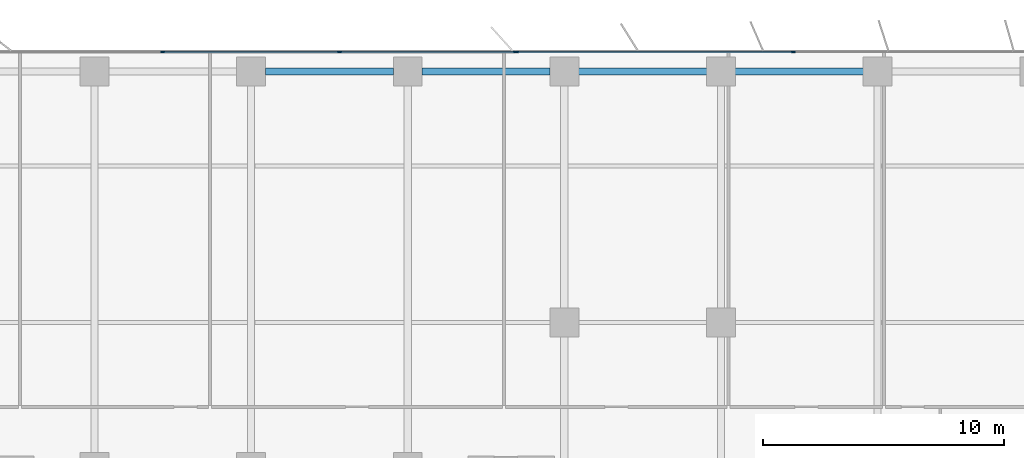
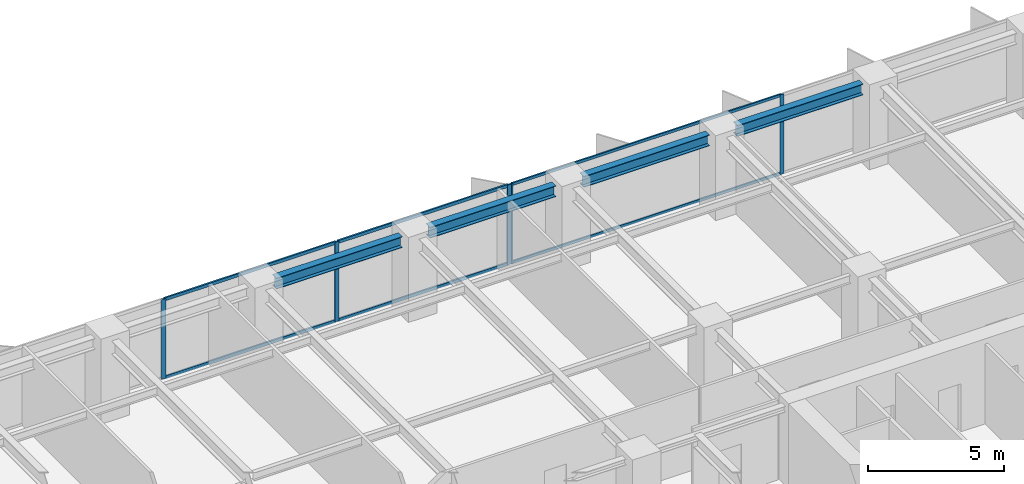
# One storey, part 9 of 20: 11 members, 4 beams, 2 elements without a shape of their own.
"""IFC4 building model written with IfcOpenShell, lengths in metres."""

from ifc_helpers import new_model, si_unit, direction, frame, origin, origin_2d, place, context, subcontext, project, spatial, rectangle, i_section, extrude, material, layer, layer_set, material_profile, profile_set, type_object, element, aggregate, save


model = new_model("IFC4")

# Units and contexts
model_context = context("Model", 3, precision=1e-05, world=origin(), true_north=direction((0.0, 1.0)))
body_context = subcontext(model_context, "Body", "Model", "MODEL_VIEW")
ifc_project = project(units=[si_unit("LENGTHUNIT", "METRE"), si_unit("AREAUNIT", "SQUARE_METRE"), si_unit("VOLUMEUNIT", "CUBIC_METRE"), si_unit("PLANEANGLEUNIT", "RADIAN"), si_unit("MASSUNIT", "GRAM", prefix="KILO")], contexts=[model_context])

# Site, building, storey
site_placement = place(None, origin())
site = spatial("IfcSite", under=ifc_project, at=site_placement, CompositionType="ELEMENT")
building_placement = place(site_placement, origin())
building = spatial("IfcBuilding", under=site, at=building_placement, Name="Putna Gate Headquarters", CompositionType="ELEMENT")
storey_placement = place(building_placement, frame((0.0, 0.0, 116.39990234375)))
storey = spatial("IfcBuildingStorey", under=building, at=storey_placement, Name="L28", CompositionType="ELEMENT", Elevation=116.39990234375)

# Beams
ifc_material_1 = material(Name="Steel S355J2", Category="steel")
ifc_material_profile_1 = material_profile(ifc_material_1, i_section(OverallWidth=0.300048828125, OverallDepth=0.489990234375, WebThickness=0.011962890625, FlangeThickness=0.02294921875, at=origin_2d()), Name="Steel S355J2")
ifc_profile_set_1 = profile_set([ifc_material_profile_1], Name="Steel S355J2")
beam_type = type_object("IfcBeamType", Name="BM-SPAN-Z2-HEA500", PredefinedType="SPANDREL", material=ifc_profile_set_1)
for number, where, z_axis, x_axis, name in (
    (1, (39.587890625, 49.419921875, 3.320068359375), (1.0, 0.0, 0.0), (0.0, 1.0, 0.0), "L28 N Perimeter Spandrel 6"),
    (2, (46.087890625, 49.419921875, 3.320068359375), (1.0, 0.0, 0.0), (0.0, 1.0, 0.0), "L28 N Perimeter Spandrel 7"),
    (3, (52.587890625, 49.419921875, 3.320068359375), (1.0, 0.0, 0.0), (0.0, 1.0, 0.0), "L28 N Perimeter Spandrel 8"),
    (4, (59.087890625, 49.419921875, 3.320068359375), (1.0, 0.0, 0.0), (0.0, 1.0, 0.0), "L28 N Perimeter Spandrel 9"),
):
    element("IfcBeam", number, at=place(storey_placement, frame(where, z_axis=z_axis, x_axis=x_axis)), inside=storey, type_object=beam_type, Name=name, PredefinedType="SPANDREL", context=body_context, shape_type="SweptSolid", body=[
        extrude(i_section(OverallWidth=0.300048828125, OverallDepth=0.489990234375, WebThickness=0.011962890625, FlangeThickness=0.02294921875, at=origin_2d()), origin(), (0.0, 0.0, 1.0), 5.32421875),
    ])

# Curtain wall, members
ifc_material_2 = material(Name="Anodised bronze aluminium curtain wall", Category="aluminium")
ifc_layer_1 = layer(ifc_material_2, 0.159912109375)
ifc_layer_set_1 = layer_set([ifc_layer_1], Name="Anodised bronze aluminium curtain wall")
curtain_wall_type_1 = type_object("IfcCurtainWallType", Name="CW-SYS-Z2", PredefinedType="USERDEFINED", material=ifc_layer_set_1)
curtain_wall_1_placement = place(storey_placement, origin())
curtain_wall_1 = element("IfcCurtainWall", 5, at=curtain_wall_1_placement, inside=storey, type_object=curtain_wall_type_1, Name="L28 North East Curtain Wall", ObjectType="STICK CURTAIN WALL", PredefinedType="USERDEFINED")
ifc_material_3 = material(Name="Anodised bronze aluminium EN AW-6060", Category="aluminium")
ifc_material_profile_2 = material_profile(ifc_material_3, rectangle(XDim=0.06494140625, YDim=0.159912109375, at=origin_2d()), Name="Anodised bronze aluminium EN AW-6060")
ifc_profile_set_2 = profile_set([ifc_material_profile_2], Name="Anodised bronze aluminium EN AW-6060")
member_type_1 = type_object("IfcMemberType", Name="MULL-CWM-2", PredefinedType="MULLION", material=ifc_profile_set_2)
member_1_placement = place(storey_placement, frame((50.032470703125, 50.219970703125, 0.0), z_axis=(0.0, 0.0, 1.0), x_axis=(0.0, 1.0, 0.0)))
member_1 = element("IfcMember", 6, at=member_1_placement, type_object=member_type_1, Name="CWS-2 mullion 1", PredefinedType="MULLION", context=body_context, shape_type="SweptSolid", body=[
    extrude(rectangle(XDim=0.06494140625, YDim=0.159912109375, at=origin_2d()), origin(), (0.0, 0.0, 1.0), 3.565185546875),
])
member_2_placement = place(storey_placement, frame((61.5, 50.219970703125, 0.0), z_axis=(0.0, 0.0, 1.0), x_axis=(0.0, 1.0, 0.0)))
member_2 = element("IfcMember", 7, at=member_2_placement, type_object=member_type_1, Name="CWS-2 mullion 2", PredefinedType="MULLION", context=body_context, shape_type="SweptSolid", body=[
    extrude(rectangle(XDim=0.06494140625, YDim=0.159912109375, at=origin_2d()), origin(), (0.0, 0.0, 1.0), 3.565185546875),
])

ifc_layer_2 = layer(ifc_material_2, 0.179931640625)
ifc_layer_set_2 = layer_set([ifc_layer_2], Name="Anodised bronze aluminium curtain wall")
curtain_wall_type_2 = type_object("IfcCurtainWallType", Name="CW-SYS-ATR", PredefinedType="USERDEFINED", material=ifc_layer_set_2)
curtain_wall_2_placement = place(storey_placement, origin())
curtain_wall_2 = element("IfcCurtainWall", 8, at=curtain_wall_2_placement, inside=storey, type_object=curtain_wall_type_2, Name="L28 North Atrium Clear Glazing", ObjectType="ATRIUM GLAZING", PredefinedType="USERDEFINED")
ifc_material_profile_3 = material_profile(ifc_material_3, rectangle(XDim=0.070068359375, YDim=0.179931640625, at=origin_2d()), Name="Anodised bronze aluminium EN AW-6060")
ifc_profile_set_3 = profile_set([ifc_material_profile_3], Name="Anodised bronze aluminium EN AW-6060")
member_type_2 = type_object("IfcMemberType", Name="MULL-CWM-AT", PredefinedType="MULLION", material=ifc_profile_set_3)
member_3_placement = place(storey_placement, frame((35.333251953125, 50.219970703125, 0.0), z_axis=(0.0, 0.0, 1.0), x_axis=(0.0, 1.0, 0.0)))
member_3 = element("IfcMember", 9, at=member_3_placement, type_object=member_type_2, Name="CWS-AT mullion 2", PredefinedType="MULLION", context=body_context, shape_type="SweptSolid", body=[
    extrude(rectangle(XDim=0.070068359375, YDim=0.179931640625, at=origin_2d()), origin(), (0.0, 0.0, 1.0), 3.565185546875),
])
member_4_placement = place(storey_placement, frame((42.666748046875, 50.219970703125, 0.0), z_axis=(0.0, 0.0, 1.0), x_axis=(0.0, 1.0, 0.0)))
member_4 = element("IfcMember", 10, at=member_4_placement, type_object=member_type_2, Name="CWS-AT mullion 3", PredefinedType="MULLION", context=body_context, shape_type="SweptSolid", body=[
    extrude(rectangle(XDim=0.070068359375, YDim=0.179931640625, at=origin_2d()), origin(), (0.0, 0.0, 1.0), 3.565185546875),
])
member_5_placement = place(storey_placement, frame((49.965087890625, 50.219970703125, 0.0), z_axis=(0.0, 0.0, 1.0), x_axis=(0.0, 1.0, 0.0)))
member_5 = element("IfcMember", 11, at=member_5_placement, type_object=member_type_2, Name="CWS-AT mullion 4", PredefinedType="MULLION", context=body_context, shape_type="SweptSolid", body=[
    extrude(rectangle(XDim=0.070068359375, YDim=0.179931640625, at=origin_2d()), origin(), (0.0, 0.0, 1.0), 3.565185546875),
])

# Member
ifc_material_profile_4 = material_profile(ifc_material_3, rectangle(XDim=0.06494140625, YDim=0.1201171875, at=origin_2d()), Name="Anodised bronze aluminium EN AW-6060")
ifc_profile_set_4 = profile_set([ifc_material_profile_4], Name="Anodised bronze aluminium EN AW-6060")
member_type_3 = type_object("IfcMemberType", Name="TRAN-CWT-2", PredefinedType="USERDEFINED", material=ifc_profile_set_4)
member_6_placement = place(storey_placement, frame((50.06494140625, 50.219970703125, 0.03271484375), z_axis=(1.0, 0.0, 0.0), x_axis=(0.0, 1.0, 0.0)))
member_6 = element("IfcMember", 12, at=member_6_placement, type_object=member_type_3, Name="CWS-2 transom 1.1", ObjectType="TRANSOM", PredefinedType="USERDEFINED", context=body_context, shape_type="SweptSolid", body=[
    extrude(rectangle(XDim=0.06494140625, YDim=0.1201171875, at=origin_2d()), origin(), (0.0, 0.0, 1.0), 11.402587890625),
])

member_7_placement = place(storey_placement, frame((50.06494140625, 50.219970703125, 3.53271484375), z_axis=(1.0, 0.0, 0.0), x_axis=(0.0, 1.0, 0.0)))
member_7 = element("IfcMember", 13, at=member_7_placement, type_object=member_type_3, Name="CWS-2 transom 1.2", ObjectType="TRANSOM", PredefinedType="USERDEFINED", context=body_context, shape_type="SweptSolid", body=[
    extrude(rectangle(XDim=0.06494140625, YDim=0.1201171875, at=origin_2d()), origin(), (0.0, 0.0, 1.0), 11.402587890625),
])

aggregate(curtain_wall_1, [member_1, member_2, member_6, member_7])

ifc_material_profile_5 = material_profile(ifc_material_3, rectangle(XDim=0.070068359375, YDim=0.139892578125, at=origin_2d()), Name="Anodised bronze aluminium EN AW-6060")
ifc_profile_set_5 = profile_set([ifc_material_profile_5], Name="Anodised bronze aluminium EN AW-6060")
member_type_4 = type_object("IfcMemberType", Name="TRAN-CWT-AT", PredefinedType="USERDEFINED", material=ifc_profile_set_5)
member_8_placement = place(storey_placement, frame((35.368408203125, 50.219970703125, 0.03515625), z_axis=(1.0, 0.0, 0.0), x_axis=(0.0, 1.0, 0.0)))
member_8 = element("IfcMember", 14, at=member_8_placement, type_object=member_type_4, Name="CWS-AT transom 2.1", ObjectType="TRANSOM", PredefinedType="USERDEFINED", context=body_context, shape_type="SweptSolid", body=[
    extrude(rectangle(XDim=0.070068359375, YDim=0.139892578125, at=origin_2d()), origin(), (0.0, 0.0, 1.0), 7.26318359375),
])

member_9_placement = place(storey_placement, frame((35.368408203125, 50.219970703125, 3.530029296875), z_axis=(1.0, 0.0, 0.0), x_axis=(0.0, 1.0, 0.0)))
member_9 = element("IfcMember", 15, at=member_9_placement, type_object=member_type_4, Name="CWS-AT transom 2.2", ObjectType="TRANSOM", PredefinedType="USERDEFINED", context=body_context, shape_type="SweptSolid", body=[
    extrude(rectangle(XDim=0.070068359375, YDim=0.139892578125, at=origin_2d()), origin(), (0.0, 0.0, 1.0), 7.26318359375),
])

member_10_placement = place(storey_placement, frame((42.70166015625, 50.219970703125, 0.03515625), z_axis=(1.0, 0.0, 0.0), x_axis=(0.0, 1.0, 0.0)))
member_10 = element("IfcMember", 16, at=member_10_placement, type_object=member_type_4, Name="CWS-AT transom 3.1", ObjectType="TRANSOM", PredefinedType="USERDEFINED", context=body_context, shape_type="SweptSolid", body=[
    extrude(rectangle(XDim=0.070068359375, YDim=0.139892578125, at=origin_2d()), origin(), (0.0, 0.0, 1.0), 7.228271484375),
])

member_11_placement = place(storey_placement, frame((42.70166015625, 50.219970703125, 3.530029296875), z_axis=(1.0, 0.0, 0.0), x_axis=(0.0, 1.0, 0.0)))
member_11 = element("IfcMember", 17, at=member_11_placement, type_object=member_type_4, Name="CWS-AT transom 3.2", ObjectType="TRANSOM", PredefinedType="USERDEFINED", context=body_context, shape_type="SweptSolid", body=[
    extrude(rectangle(XDim=0.070068359375, YDim=0.139892578125, at=origin_2d()), origin(), (0.0, 0.0, 1.0), 7.228271484375),
])

aggregate(curtain_wall_2, [member_3, member_4, member_5, member_8, member_9, member_10, member_11])

save(model, "model.ifc")
